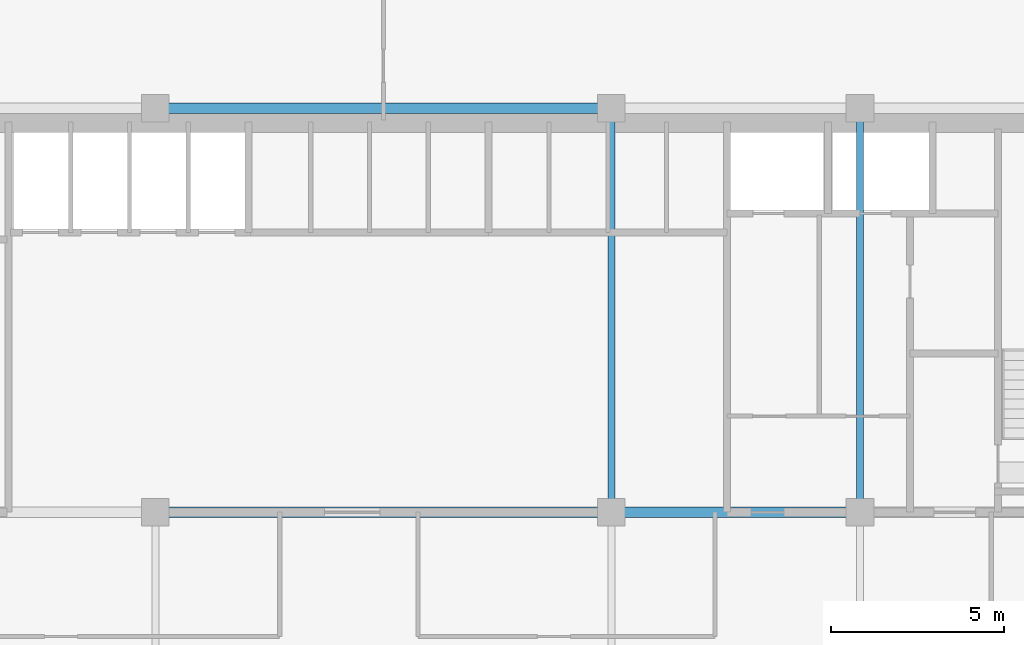
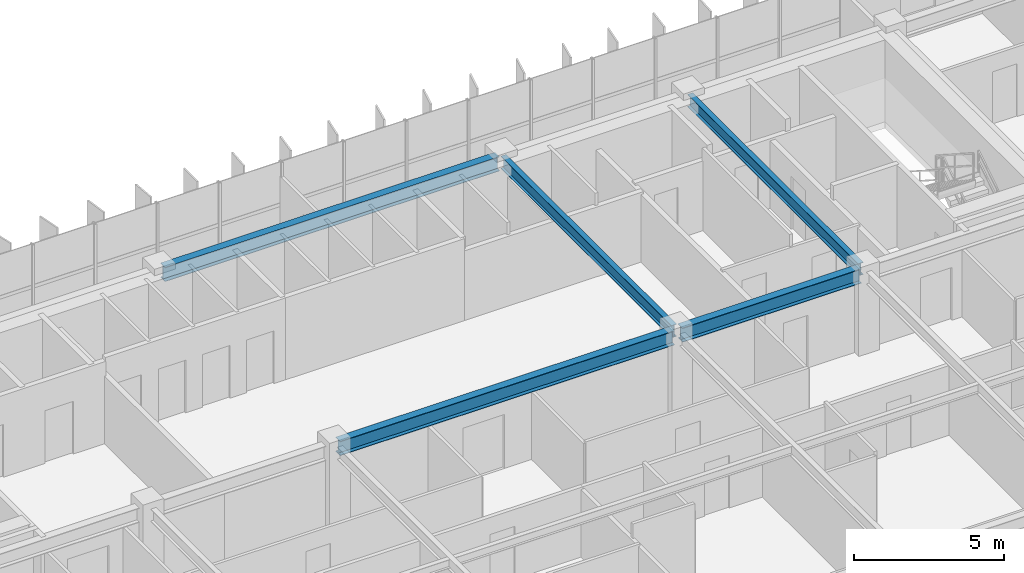
# One storey, part 8 of 22: 5 beams.
"""IFC4 building model written with IfcOpenShell, lengths in metres."""

from ifc_helpers import new_model, si_unit, direction, frame, origin, origin_2d, place, context, subcontext, project, spatial, i_section, extrude, source, transform, mapped, material, material_profile, profile_set, type_object, element, save


model = new_model("IFC4")

# Units and contexts
model_context = context("Model", 3, precision=1e-05, world=origin(), true_north=direction((0.0, 1.0)))
body_context = subcontext(model_context, "Body", "Model", "MODEL_VIEW")
ifc_project = project(units=[si_unit("LENGTHUNIT", "METRE"), si_unit("AREAUNIT", "SQUARE_METRE"), si_unit("VOLUMEUNIT", "CUBIC_METRE"), si_unit("PLANEANGLEUNIT", "RADIAN"), si_unit("MASSUNIT", "GRAM", prefix="KILO")], contexts=[model_context])

# Site, building, storey
site_placement = place(None, origin())
site = spatial("IfcSite", under=ifc_project, at=site_placement, CompositionType="ELEMENT")
building_placement = place(site_placement, origin())
building = spatial("IfcBuilding", under=site, at=building_placement, Name="Trelvane Seafront Commons", CompositionType="ELEMENT")
storey_placement = place(building_placement, frame((0.0, 0.0, 85.300048828125)))
storey = spatial("IfcBuildingStorey", under=building, at=storey_placement, Name="L21", CompositionType="ELEMENT", Elevation=85.300048828125)

# Beams
ifc_material = material(Name="Steel SM355 (S355)", Category="steel")
ifc_material_profile_1 = material_profile(ifc_material, i_section(OverallWidth=0.300048828125, OverallDepth=0.587890625, WebThickness=0.011962890625, FlangeThickness=0.02001953125, at=origin_2d()), Name="H-588x300x12x20")
ifc_profile_set_1 = profile_set([ifc_material_profile_1], Name="Steel SM355 (S355)")
beam_type_1 = type_object("IfcBeamType", Name="STR-BM-H588", PredefinedType="BEAM", material=ifc_profile_set_1)
shared_shape_1 = source(origin(), body_context, "Body", "SweptSolid", [
    extrude(i_section(OverallWidth=0.300048828125, OverallDepth=0.587890625, WebThickness=0.011962890625, FlangeThickness=0.02001953125, at=origin_2d()), origin(), (0.0, 0.0, 1.0), 12.89990234375),
])
for number, where, z_axis, x_axis, name in (
    (1, (30.75, 33.39990234375, 3.0458984375), (1.0, 0.0, 0.0), (0.0, 1.0, 0.0), "L21 Primary Girder G-23"),
    (2, (30.75, 45.10009765625, 3.0458984375), (1.0, 0.0, 0.0), (0.0, 1.0, 0.0), "L21 Primary Girder G-32"),
):
    element("IfcBeam", number, at=place(storey_placement, frame(where, z_axis=z_axis, x_axis=x_axis)), inside=storey, type_object=beam_type_1, Name=name, PredefinedType="BEAM", context=body_context, shape_type="MappedRepresentation", body=[
        mapped(shared_shape_1, transform((0.0, 0.0, 0.0), x_axis=(1.0, 0.0, 0.0), y_axis=(0.0, 1.0, 0.0), z_axis=(0.0, 0.0, 1.0), scale=1.0)),
    ])
shared_shape_2 = source(origin(), body_context, "Body", "SweptSolid", [
    extrude(i_section(OverallWidth=0.300048828125, OverallDepth=0.587890625, WebThickness=0.011962890625, FlangeThickness=0.02001953125, at=origin_2d()), origin(), (0.0, 0.0, 1.0), 6.900146484375),
])
beam_placement = place(storey_placement, frame((43.949951171875, 33.39990234375, 3.0458984375), z_axis=(1.0, 0.0, 0.0), x_axis=(0.0, 1.0, 0.0)))
element("IfcBeam", 3, at=beam_placement, inside=storey, type_object=beam_type_1, Name="L21 Primary Girder G-24", PredefinedType="BEAM", context=body_context, shape_type="MappedRepresentation", body=[
    mapped(shared_shape_2, transform((0.0, 0.0, 0.0), x_axis=(1.0, 0.0, 0.0), y_axis=(0.0, 1.0, 0.0), z_axis=(0.0, 0.0, 1.0), scale=1.0)),
])
ifc_material_profile_2 = material_profile(ifc_material, i_section(OverallWidth=0.199951171875, OverallDepth=0.5, WebThickness=0.010009765625, FlangeThickness=0.01611328125, at=origin_2d()), Name="H-500x200x10x16")
ifc_profile_set_2 = profile_set([ifc_material_profile_2], Name="Steel SM355 (S355)")
beam_type_2 = type_object("IfcBeamType", Name="STR-BM-H500", PredefinedType="BEAM", material=ifc_profile_set_2)
shared_shape_3 = source(origin(), body_context, "Body", "SweptSolid", [
    extrude(i_section(OverallWidth=0.199951171875, OverallDepth=0.5, WebThickness=0.010009765625, FlangeThickness=0.01611328125, at=origin_2d()), origin(), (0.0, 0.0, 1.0), 11.39990234375),
])
for number, where, z_axis, x_axis, name in (
    (4, (43.800048828125, 33.550048828125, 3.08984375), (0.0, 1.0, 0.0), (-1.0, 0.0, 0.0), "L21 Primary Girder G-54"),
    (5, (51.0, 33.550048828125, 3.08984375), (0.0, 1.0, 0.0), (-1.0, 0.0, 0.0), "L21 Primary Girder G-57"),
):
    element("IfcBeam", number, at=place(storey_placement, frame(where, z_axis=z_axis, x_axis=x_axis)), inside=storey, type_object=beam_type_2, Name=name, PredefinedType="BEAM", context=body_context, shape_type="MappedRepresentation", body=[
        mapped(shared_shape_3, transform((0.0, 0.0, 0.0), x_axis=(1.0, 0.0, 0.0), y_axis=(0.0, 1.0, 0.0), z_axis=(0.0, 0.0, 1.0), scale=1.0)),
    ])

save(model, "model.ifc")
